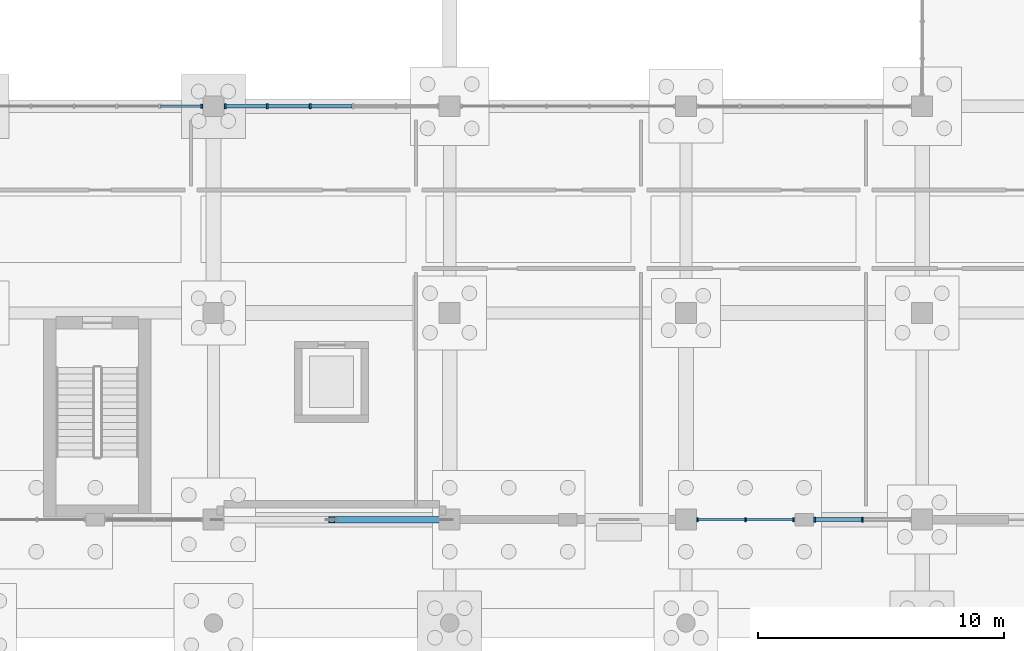
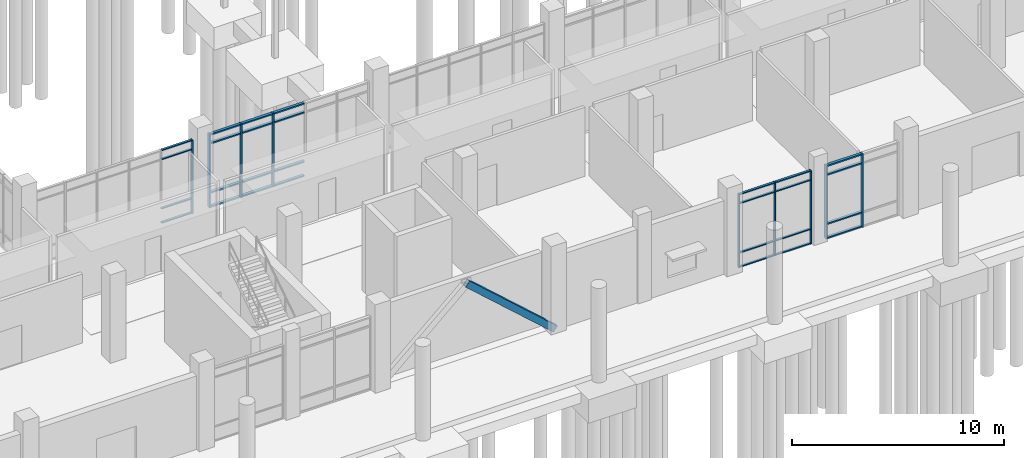
# One storey, part 49 of 136: 38 members, 4 elements without a shape of their own.
"""IFC4 building model written with IfcOpenShell, lengths in metres."""

import ifcopenshell
import ifcopenshell.guid

model = None  # the IFC model being written
_history = None  # IfcOwnerHistory: only IFC2X3 demands one
_inside = {}  # id of a spatial element -> (the spatial element, [elements in it])
_under = {}  # id of a project, library or spatial element -> (it, [spatial elements below it])
_declared = {}  # id of a project -> (the project, [libraries it declares])
_typed = {}  # id of a type object -> (the type object, [elements of that type])
_made_of = {}  # id of a material, layer set ... -> (it, [elements and type objects made of it])


def new_model(schema):
    """Start an empty IFC model of exactly this schema.

    Asked for "IFC4X3", IfcOpenShell would pick the latest addendum, in which some entities
    have other attributes; the version numbers below select the first issue.
    IFC2X3 requires an IfcOwnerHistory on every rooted entity: one is made here for all.
    """
    global model, _history
    if schema == "IFC4X3":
        model = ifcopenshell.file(schema_version=(4, 3, 0, 0))
    else:
        model = ifcopenshell.file(schema=schema)
    _inside.clear()
    _under.clear()
    _declared.clear()
    _typed.clear()
    _made_of.clear()
    _history = None
    if model.schema == "IFC2X3":
        org = make("IfcOrganization", Name="unknown")
        user = make(
            "IfcPersonAndOrganization",
            ThePerson=make("IfcPerson", FamilyName="unknown"),
            TheOrganization=org,
        )
        app = make(
            "IfcApplication",
            ApplicationDeveloper=org,
            Version="unknown",
            ApplicationFullName="unknown",
            ApplicationIdentifier="unknown",
        )
        _history = make(
            "IfcOwnerHistory",
            OwningUser=user,
            OwningApplication=app,
            ChangeAction="ADDED",
            CreationDate=0,
        )
    return model


def make(cls, **values):
    """One entity of the class cls with the attributes given. An attribute that is None is left unset."""
    return model.create_entity(
        cls, **{name: value for name, value in values.items() if value is not None}
    )


def rooted(cls, **values):
    """An entity with a GlobalId (a new one), such as an element, a storey or a relation."""
    return make(cls, GlobalId=ifcopenshell.guid.new(), OwnerHistory=_history, **values)


def si_unit(unit_type, name, prefix=None):
    """IfcSIUnit, for example si_unit("LENGTHUNIT", "METRE", prefix="MILLI")."""
    return make("IfcSIUnit", UnitType=unit_type, Prefix=prefix, Name=name)


def assignment(units):
    """IfcUnitAssignment: the units of a project."""
    return None if units is None else make("IfcUnitAssignment", Units=units)


def point(xyz):
    """IfcCartesianPoint."""
    return None if xyz is None else make("IfcCartesianPoint", Coordinates=xyz)


def direction(xyz):
    """IfcDirection."""
    return None if xyz is None else make("IfcDirection", DirectionRatios=xyz)


def frame(location, z_axis=None, x_axis=None):
    """IfcAxis2Placement3D, a coordinate frame: its origin and axes. An axis left out is left unset."""
    return make(
        "IfcAxis2Placement3D",
        Location=point(location),
        Axis=direction(z_axis),
        RefDirection=direction(x_axis),
    )


def frame_2d(location, x_axis=None):
    """IfcAxis2Placement2D, a coordinate frame in the plane: its origin and x axis."""
    return make(
        "IfcAxis2Placement2D", Location=point(location), RefDirection=direction(x_axis)
    )


def origin():
    """The frame at (0, 0, 0) with its axes left unset."""
    return frame((0.0, 0.0, 0.0))


def origin_2d():
    """The frame at (0, 0) in the plane with its x axis left unset."""
    return frame_2d((0.0, 0.0))


def place(relative_to, where):
    """IfcLocalPlacement: puts the frame where relative to a parent placement (None: the world)."""
    return make(
        "IfcLocalPlacement", PlacementRelTo=relative_to, RelativePlacement=where
    )


def context(
    kind, dimensions, precision=None, world=None, true_north=None, identifier=None
):
    """IfcGeometricRepresentationContext, for example the 3D "Model" context."""
    return make(
        "IfcGeometricRepresentationContext",
        ContextIdentifier=identifier,
        ContextType=kind,
        CoordinateSpaceDimension=dimensions,
        Precision=precision,
        WorldCoordinateSystem=world,
        TrueNorth=true_north,
    )


def subcontext(parent, identifier, kind, view, scale=None):
    """IfcGeometricRepresentationSubContext, for example "Body" below "Model"."""
    return make(
        "IfcGeometricRepresentationSubContext",
        ContextIdentifier=identifier,
        ContextType=kind,
        ParentContext=parent,
        TargetScale=scale,
        TargetView=view,
    )


def project(units=None, contexts=None):
    """IfcProject with its units and contexts."""
    return rooted(
        "IfcProject",
        Name="project",
        RepresentationContexts=contexts,
        UnitsInContext=assignment(units),
    )


def spatial(cls, under=None, at=None, **own):
    """A site, building, storey or space (cls), placed at a placement, below another one or the project."""
    s = rooted(cls, ObjectPlacement=at, **own)
    if under is not None:
        _under.setdefault(under.id(), (under, []))[1].append(s)
    return s


def profile(cls, at=None, kind="AREA", **sizes):
    """A parametric profile (cls). Its sizes go by their IFC names, for example OverallWidth=200.0."""
    return make(cls, ProfileType=kind, Position=at, **sizes)


def rectangle(**sizes):
    """IfcRectangleProfileDef."""
    return profile("IfcRectangleProfileDef", **sizes)


def hollow_rectangle(**sizes):
    """IfcRectangleHollowProfileDef."""
    return profile("IfcRectangleHollowProfileDef", **sizes)


def extrude(swept, where, along, depth):
    """IfcExtrudedAreaSolid: the profile swept, set in the frame where, extruded along a direction by depth."""
    return make(
        "IfcExtrudedAreaSolid",
        SweptArea=swept,
        Position=where,
        ExtrudedDirection=direction(along),
        Depth=depth,
    )


def shape(context_of_items, identifier, shape_type, items):
    """IfcShapeRepresentation: the items that make up one representation, for example the "Body"."""
    return make(
        "IfcShapeRepresentation",
        ContextOfItems=context_of_items,
        RepresentationIdentifier=identifier,
        RepresentationType=shape_type,
        Items=items,
    )


def material(Name=None, Category=None):
    """IfcMaterial."""
    return make("IfcMaterial", Name=Name, Category=Category)


def material_profile(
    of_material, cross_section, Name=None, Category=None, Priority=None
):
    """IfcMaterialProfile: a cross section and its material."""
    return make(
        "IfcMaterialProfile",
        Name=Name,
        Material=of_material,
        Profile=cross_section,
        Priority=Priority,
        Category=Category,
    )


def profile_set(profiles, Name=None, composite=None):
    """IfcMaterialProfileSet."""
    return make(
        "IfcMaterialProfileSet",
        Name=Name,
        MaterialProfiles=profiles,
        CompositeProfile=composite,
    )


def made_of(thing, what):
    """Note that an element or type object is made of a material, layer set ...; save() writes the relation."""
    if what is not None:
        _made_of.setdefault(what.id(), (what, []))[1].append(thing)
    return thing


def type_object(cls, material=None, **own):
    """A type object (cls), such as IfcWallType, which elements share."""
    return made_of(rooted(cls, **own), material)


def element(
    cls,
    number,
    at=None,
    inside=None,
    cuts=None,
    type_object=None,
    material=None,
    context=None,
    identifier="Body",
    shape_type=None,
    held_by="IfcProductDefinitionShape",
    body=None,
    shapes=None,
    **own,
):
    """One element of the class cls, such as IfcWall. Its Tag is "e" and its number.

    at: its placement. inside: the storey or other place that contains it. cuts: it is an
    opening in that element (IfcRelVoidsElement). A single representation is given by context,
    identifier, shape_type and body (its items); several are given by shapes. held_by: the class
    of the entity that holds the representations. save() writes the other relations.
    """
    e = rooted(cls, Tag="e%d" % number, ObjectPlacement=at, **own)
    if body is not None:
        shapes = [shape(context, identifier, shape_type, body)]
    if shapes is not None:
        e.Representation = make(held_by, Representations=shapes)
    if inside is not None:
        _inside.setdefault(inside.id(), (inside, []))[1].append(e)
    if cuts is not None:
        rooted(
            "IfcRelVoidsElement", RelatingBuildingElement=cuts, RelatedOpeningElement=e
        )
    if type_object is not None:
        _typed.setdefault(type_object.id(), (type_object, []))[1].append(e)
    return made_of(e, material)


def aggregate(whole, parts):
    """IfcRelAggregates: a whole, such as a stair, and the parts it consists of."""
    return rooted("IfcRelAggregates", RelatingObject=whole, RelatedObjects=parts)


def save(model, path):
    """Write the relations noted so far, then the file.

    IfcRelAggregates (storeys below a building ...), IfcRelContainedInSpatialStructure (elements
    in a storey), IfcRelDefinesByType, IfcRelAssociatesMaterial and IfcRelDeclares: one each for
    every whole, place, type object, material and project.
    """
    for whole, parts in _under.values():
        aggregate(whole, parts)
    for where, things in _inside.values():
        rooted(
            "IfcRelContainedInSpatialStructure",
            RelatedElements=things,
            RelatingStructure=where,
        )
    for kind, things in _typed.values():
        rooted("IfcRelDefinesByType", RelatedObjects=things, RelatingType=kind)
    for what, things in _made_of.values():
        rooted("IfcRelAssociatesMaterial", RelatedObjects=things, RelatingMaterial=what)
    for by, libraries in _declared.values():
        rooted("IfcRelDeclares", RelatingContext=by, RelatedDefinitions=libraries)
    model.write(path)


model = new_model("IFC4")

# Units and contexts
model_context = context("Model", 3, precision=1e-05, world=origin(), true_north=direction((0.0, 1.0)))
body_context = subcontext(model_context, "Body", "Model", "MODEL_VIEW")
ifc_project = project(units=[si_unit("LENGTHUNIT", "METRE"), si_unit("AREAUNIT", "SQUARE_METRE"), si_unit("VOLUMEUNIT", "CUBIC_METRE"), si_unit("PLANEANGLEUNIT", "RADIAN"), si_unit("MASSUNIT", "GRAM", prefix="KILO")], contexts=[model_context])

# Site, building, storey
site_placement = place(None, origin())
site = spatial("IfcSite", under=ifc_project, at=site_placement, CompositionType="ELEMENT")
building_placement = place(site_placement, origin())
building = spatial("IfcBuilding", under=site, at=building_placement, Name="Oolite Switchyard Hospital", CompositionType="ELEMENT")
storey_placement = place(building_placement, origin())
storey = spatial("IfcBuildingStorey", under=building, at=storey_placement, Name="L00", CompositionType="ELEMENT", Elevation=0.0)

# Curtain wall, members
ifc_material_1 = material(Name="Thermally broken aluminum frame with laminated impact glazing", Category="aluminium")
curtain_wall_type_1 = type_object("IfcCurtainWallType", Name="CW-UNIT-84X51", PredefinedType="USERDEFINED", material=ifc_material_1)
curtain_wall_1_placement = place(storey_placement, origin())
curtain_wall_1 = element("IfcCurtainWall", 1, at=curtain_wall_1_placement, inside=storey, type_object=curtain_wall_type_1, Name="L00 Unitised Curtain Wall 6", ObjectType="UNITISED", PredefinedType="USERDEFINED")
ifc_material_2 = material(Name="Aluminium 6063-T6", Category="aluminium")
ifc_material_profile_1 = material_profile(ifc_material_2, rectangle(XDim=0.159912109375, YDim=0.06005859375, at=origin_2d()), Name="CWM60X160")
ifc_profile_set_1 = profile_set([ifc_material_profile_1], Name="Aluminium 6063-T6")
member_type_1 = type_object("IfcMemberType", Name="CW-MUL-180", PredefinedType="MULLION", material=ifc_profile_set_1)
member_1_placement = place(storey_placement, frame((177.179931640625, 8.39990234375, 0.0), z_axis=(0.0, 0.0, 1.0), x_axis=(0.0, -1.0, 0.0)))
member_1 = element("IfcMember", 2, at=member_1_placement, type_object=member_type_1, Name="CW-06 mullion 1", PredefinedType="MULLION", context=body_context, shape_type="SweptSolid", body=[
    extrude(rectangle(XDim=0.159912109375, YDim=0.06005859375, at=origin_2d()), origin(), (0.0, 0.0, 1.0), 4.239990234375),
])
member_2_placement = place(storey_placement, frame((175.22509765625, 8.39990234375, 0.0), z_axis=(0.0, 0.0, 1.0), x_axis=(0.0, -1.0, 0.0)))
member_2 = element("IfcMember", 3, at=member_2_placement, type_object=member_type_1, Name="CW-06 mullion 2", PredefinedType="MULLION", context=body_context, shape_type="SweptSolid", body=[
    extrude(rectangle(XDim=0.159912109375, YDim=0.06005859375, at=origin_2d()), origin(), (0.0, 0.0, 1.0), 4.239990234375),
])
member_3_placement = place(storey_placement, frame((173.27001953125, 8.39990234375, 0.0), z_axis=(0.0, 0.0, 1.0), x_axis=(0.0, -1.0, 0.0)))
member_3 = element("IfcMember", 4, at=member_3_placement, type_object=member_type_1, Name="CW-06 mullion 3", PredefinedType="MULLION", context=body_context, shape_type="SweptSolid", body=[
    extrude(rectangle(XDim=0.159912109375, YDim=0.06005859375, at=origin_2d()), origin(), (0.0, 0.0, 1.0), 4.239990234375),
])

# Curtain wall, member
curtain_wall_type_2 = type_object("IfcCurtainWallType", Name="CW-UNIT-96X51", PredefinedType="USERDEFINED", material=ifc_material_1)
curtain_wall_2_placement = place(storey_placement, origin())
curtain_wall_2 = element("IfcCurtainWall", 5, at=curtain_wall_2_placement, inside=storey, type_object=curtain_wall_type_2, Name="L00 Unitised Curtain Wall 10", ObjectType="UNITISED", PredefinedType="USERDEFINED")
ifc_material_profile_2 = material_profile(ifc_material_2, rectangle(XDim=0.179931640625, YDim=0.070068359375, at=origin_2d()), Name="CWM70X180")
ifc_profile_set_2 = profile_set([ifc_material_profile_2], Name="Aluminium 6063-T6")
member_type_2 = type_object("IfcMemberType", Name="CW-MUL-220", PredefinedType="MULLION", material=ifc_profile_set_2)
member_4_placement = place(storey_placement, frame((153.125, 25.199951171875, 0.0), z_axis=(0.0, 0.0, 1.0), x_axis=(0.0, 1.0, 0.0)))
member_4 = element("IfcMember", 6, at=member_4_placement, type_object=member_type_2, Name="CW-01 mullion 6", PredefinedType="MULLION", context=body_context, shape_type="SweptSolid", body=[
    extrude(rectangle(XDim=0.179931640625, YDim=0.070068359375, at=origin_2d()), origin(), (0.0, 0.0, 1.0), 4.239990234375),
])

# Curtain wall, members
curtain_wall_3_placement = place(storey_placement, origin())
curtain_wall_3 = element("IfcCurtainWall", 7, at=curtain_wall_3_placement, inside=storey, type_object=curtain_wall_type_1, Name="L00 Unitised Curtain Wall 5", ObjectType="UNITISED", PredefinedType="USERDEFINED")
ifc_material_profile_3 = material_profile(ifc_material_2, rectangle(XDim=0.199951171875, YDim=0.074951171875, at=origin_2d()), Name="CWM75X200")
ifc_profile_set_3 = profile_set([ifc_material_profile_3], Name="Aluminium 6063-T6")
member_type_3 = type_object("IfcMemberType", Name="CW-MUL-260", PredefinedType="MULLION", material=ifc_profile_set_3)
member_5_placement = place(storey_placement, frame((179.97509765625, 8.39990234375, 0.0), z_axis=(0.0, 0.0, 1.0), x_axis=(0.0, -1.0, 0.0)))
member_5 = element("IfcMember", 8, at=member_5_placement, type_object=member_type_3, Name="CW-06 mullion 2", PredefinedType="MULLION", context=body_context, shape_type="SweptSolid", body=[
    extrude(rectangle(XDim=0.199951171875, YDim=0.074951171875, at=origin_2d()), origin(), (0.0, 0.0, 1.0), 4.239990234375),
])
member_6_placement = place(storey_placement, frame((178.027587890625, 8.39990234375, 0.0), z_axis=(0.0, 0.0, 1.0), x_axis=(0.0, -1.0, 0.0)))
member_6 = element("IfcMember", 9, at=member_6_placement, type_object=member_type_3, Name="CW-06 mullion 3", PredefinedType="MULLION", context=body_context, shape_type="SweptSolid", body=[
    extrude(rectangle(XDim=0.199951171875, YDim=0.074951171875, at=origin_2d()), origin(), (0.0, 0.0, 1.0), 4.239990234375),
])

curtain_wall_4_placement = place(storey_placement, origin())
curtain_wall_4 = element("IfcCurtainWall", 10, at=curtain_wall_4_placement, inside=storey, type_object=curtain_wall_type_2, Name="L00 Unitised Curtain Wall 11", ObjectType="UNITISED", PredefinedType="USERDEFINED")
member_7_placement = place(storey_placement, frame((154.077392578125, 25.199951171875, 0.0), z_axis=(0.0, 0.0, 1.0), x_axis=(0.0, 1.0, 0.0)))
member_7 = element("IfcMember", 11, at=member_7_placement, type_object=member_type_3, Name="CW-01 mullion 1", PredefinedType="MULLION", context=body_context, shape_type="SweptSolid", body=[
    extrude(rectangle(XDim=0.199951171875, YDim=0.074951171875, at=origin_2d()), origin(), (0.0, 0.0, 1.0), 4.239990234375),
])
member_8_placement = place(storey_placement, frame((155.783935546875, 25.199951171875, 0.0), z_axis=(0.0, 0.0, 1.0), x_axis=(0.0, 1.0, 0.0)))
member_8 = element("IfcMember", 12, at=member_8_placement, type_object=member_type_3, Name="CW-01 mullion 2", PredefinedType="MULLION", context=body_context, shape_type="SweptSolid", body=[
    extrude(rectangle(XDim=0.199951171875, YDim=0.074951171875, at=origin_2d()), origin(), (0.0, 0.0, 1.0), 4.239990234375),
])
member_9_placement = place(storey_placement, frame((157.528076171875, 25.199951171875, 0.0), z_axis=(0.0, 0.0, 1.0), x_axis=(0.0, 1.0, 0.0)))
member_9 = element("IfcMember", 13, at=member_9_placement, type_object=member_type_3, Name="CW-01 mullion 3", PredefinedType="MULLION", context=body_context, shape_type="SweptSolid", body=[
    extrude(rectangle(XDim=0.199951171875, YDim=0.074951171875, at=origin_2d()), origin(), (0.0, 0.0, 1.0), 4.239990234375),
])

# Member
ifc_material_profile_4 = material_profile(ifc_material_2, rectangle(XDim=0.1201171875, YDim=0.06005859375, at=origin_2d()), Name="CWT60X120")
ifc_profile_set_4 = profile_set([ifc_material_profile_4], Name="Aluminium 6063-T6")
member_type_4 = type_object("IfcMemberType", Name="CW-TRN-150", PredefinedType="USERDEFINED", material=ifc_profile_set_4)
member_10_placement = place(storey_placement, frame((177.14990234375, 8.39990234375, 0.030029296875), z_axis=(-1.0, 0.0, 0.0), x_axis=(0.0, -1.0, 0.0)))
member_10 = element("IfcMember", 14, at=member_10_placement, type_object=member_type_4, Name="CW-06 transom 1.1", ObjectType="TRANSOM", PredefinedType="USERDEFINED", context=body_context, shape_type="SweptSolid", body=[
    extrude(rectangle(XDim=0.1201171875, YDim=0.06005859375, at=origin_2d()), origin(), (0.0, 0.0, 1.0), 1.89501953125),
])

member_11_placement = place(storey_placement, frame((177.14990234375, 8.39990234375, 0.85009765625), z_axis=(-1.0, 0.0, 0.0), x_axis=(0.0, -1.0, 0.0)))
member_11 = element("IfcMember", 15, at=member_11_placement, type_object=member_type_4, Name="CW-06 transom 1.2", ObjectType="TRANSOM", PredefinedType="USERDEFINED", context=body_context, shape_type="SweptSolid", body=[
    extrude(rectangle(XDim=0.1201171875, YDim=0.06005859375, at=origin_2d()), origin(), (0.0, 0.0, 1.0), 1.89501953125),
])

member_12_placement = place(storey_placement, frame((177.14990234375, 8.39990234375, 3.68994140625), z_axis=(-1.0, 0.0, 0.0), x_axis=(0.0, -1.0, 0.0)))
member_12 = element("IfcMember", 16, at=member_12_placement, type_object=member_type_4, Name="CW-06 transom 1.3", ObjectType="TRANSOM", PredefinedType="USERDEFINED", context=body_context, shape_type="SweptSolid", body=[
    extrude(rectangle(XDim=0.1201171875, YDim=0.06005859375, at=origin_2d()), origin(), (0.0, 0.0, 1.0), 1.89501953125),
])

member_13_placement = place(storey_placement, frame((177.14990234375, 8.39990234375, 4.2099609375), z_axis=(-1.0, 0.0, 0.0), x_axis=(0.0, -1.0, 0.0)))
member_13 = element("IfcMember", 17, at=member_13_placement, type_object=member_type_4, Name="CW-06 transom 1.4", ObjectType="TRANSOM", PredefinedType="USERDEFINED", context=body_context, shape_type="SweptSolid", body=[
    extrude(rectangle(XDim=0.1201171875, YDim=0.06005859375, at=origin_2d()), origin(), (0.0, 0.0, 1.0), 1.89501953125),
])

member_14_placement = place(storey_placement, frame((175.195068359375, 8.39990234375, 0.030029296875), z_axis=(-1.0, 0.0, 0.0), x_axis=(0.0, -1.0, 0.0)))
member_14 = element("IfcMember", 18, at=member_14_placement, type_object=member_type_4, Name="CW-06 transom 2.1", ObjectType="TRANSOM", PredefinedType="USERDEFINED", context=body_context, shape_type="SweptSolid", body=[
    extrude(rectangle(XDim=0.1201171875, YDim=0.06005859375, at=origin_2d()), origin(), (0.0, 0.0, 1.0), 1.89501953125),
])

member_15_placement = place(storey_placement, frame((175.195068359375, 8.39990234375, 0.85009765625), z_axis=(-1.0, 0.0, 0.0), x_axis=(0.0, -1.0, 0.0)))
member_15 = element("IfcMember", 19, at=member_15_placement, type_object=member_type_4, Name="CW-06 transom 2.2", ObjectType="TRANSOM", PredefinedType="USERDEFINED", context=body_context, shape_type="SweptSolid", body=[
    extrude(rectangle(XDim=0.1201171875, YDim=0.06005859375, at=origin_2d()), origin(), (0.0, 0.0, 1.0), 1.89501953125),
])

member_16_placement = place(storey_placement, frame((175.195068359375, 8.39990234375, 3.68994140625), z_axis=(-1.0, 0.0, 0.0), x_axis=(0.0, -1.0, 0.0)))
member_16 = element("IfcMember", 20, at=member_16_placement, type_object=member_type_4, Name="CW-06 transom 2.3", ObjectType="TRANSOM", PredefinedType="USERDEFINED", context=body_context, shape_type="SweptSolid", body=[
    extrude(rectangle(XDim=0.1201171875, YDim=0.06005859375, at=origin_2d()), origin(), (0.0, 0.0, 1.0), 1.89501953125),
])

member_17_placement = place(storey_placement, frame((175.195068359375, 8.39990234375, 4.2099609375), z_axis=(-1.0, 0.0, 0.0), x_axis=(0.0, -1.0, 0.0)))
member_17 = element("IfcMember", 21, at=member_17_placement, type_object=member_type_4, Name="CW-06 transom 2.4", ObjectType="TRANSOM", PredefinedType="USERDEFINED", context=body_context, shape_type="SweptSolid", body=[
    extrude(rectangle(XDim=0.1201171875, YDim=0.06005859375, at=origin_2d()), origin(), (0.0, 0.0, 1.0), 1.89501953125),
])

aggregate(curtain_wall_1, [member_1, member_2, member_3, member_10, member_11, member_12, member_13, member_14, member_15, member_16, member_17])

member_18_placement = place(storey_placement, frame((151.450927734375, 25.199951171875, 0.030029296875), z_axis=(1.0, 0.0, 0.0), x_axis=(0.0, 1.0, 0.0)))
member_18 = element("IfcMember", 22, at=member_18_placement, type_object=member_type_4, Name="CW-01 transom 5.1", ObjectType="TRANSOM", PredefinedType="USERDEFINED", context=body_context, shape_type="SweptSolid", body=[
    extrude(rectangle(XDim=0.1201171875, YDim=0.06005859375, at=origin_2d()), origin(), (0.0, 0.0, 1.0), 1.63916015625),
])

member_19_placement = place(storey_placement, frame((151.450927734375, 25.199951171875, 0.85009765625), z_axis=(1.0, 0.0, 0.0), x_axis=(0.0, 1.0, 0.0)))
member_19 = element("IfcMember", 23, at=member_19_placement, type_object=member_type_4, Name="CW-01 transom 5.2", ObjectType="TRANSOM", PredefinedType="USERDEFINED", context=body_context, shape_type="SweptSolid", body=[
    extrude(rectangle(XDim=0.1201171875, YDim=0.06005859375, at=origin_2d()), origin(), (0.0, 0.0, 1.0), 1.63916015625),
])

member_20_placement = place(storey_placement, frame((151.450927734375, 25.199951171875, 3.68994140625), z_axis=(1.0, 0.0, 0.0), x_axis=(0.0, 1.0, 0.0)))
member_20 = element("IfcMember", 24, at=member_20_placement, type_object=member_type_4, Name="CW-01 transom 5.3", ObjectType="TRANSOM", PredefinedType="USERDEFINED", context=body_context, shape_type="SweptSolid", body=[
    extrude(rectangle(XDim=0.1201171875, YDim=0.06005859375, at=origin_2d()), origin(), (0.0, 0.0, 1.0), 1.63916015625),
])

member_21_placement = place(storey_placement, frame((151.450927734375, 25.199951171875, 4.2099609375), z_axis=(1.0, 0.0, 0.0), x_axis=(0.0, 1.0, 0.0)))
member_21 = element("IfcMember", 25, at=member_21_placement, type_object=member_type_4, Name="CW-01 transom 5.4", ObjectType="TRANSOM", PredefinedType="USERDEFINED", context=body_context, shape_type="SweptSolid", body=[
    extrude(rectangle(XDim=0.1201171875, YDim=0.06005859375, at=origin_2d()), origin(), (0.0, 0.0, 1.0), 1.63916015625),
])

aggregate(curtain_wall_2, [member_4, member_18, member_19, member_20, member_21])

ifc_material_profile_5 = material_profile(ifc_material_2, rectangle(XDim=0.159912109375, YDim=0.074951171875, at=origin_2d()), Name="CWT75X160")
ifc_profile_set_5 = profile_set([ifc_material_profile_5], Name="Aluminium 6063-T6")
member_type_5 = type_object("IfcMemberType", Name="CW-TRN-180", PredefinedType="USERDEFINED", material=ifc_profile_set_5)
member_22_placement = place(storey_placement, frame((179.9375, 8.39990234375, 0.03759765625), z_axis=(-1.0, 0.0, 0.0), x_axis=(0.0, -1.0, 0.0)))
member_22 = element("IfcMember", 26, at=member_22_placement, type_object=member_type_5, Name="CW-06 transom 2.1", ObjectType="TRANSOM", PredefinedType="USERDEFINED", context=body_context, shape_type="SweptSolid", body=[
    extrude(rectangle(XDim=0.159912109375, YDim=0.074951171875, at=origin_2d()), origin(), (0.0, 0.0, 1.0), 1.87255859375),
])

member_23_placement = place(storey_placement, frame((179.9375, 8.39990234375, 0.85009765625), z_axis=(-1.0, 0.0, 0.0), x_axis=(0.0, -1.0, 0.0)))
member_23 = element("IfcMember", 27, at=member_23_placement, type_object=member_type_5, Name="CW-06 transom 2.2", ObjectType="TRANSOM", PredefinedType="USERDEFINED", context=body_context, shape_type="SweptSolid", body=[
    extrude(rectangle(XDim=0.159912109375, YDim=0.074951171875, at=origin_2d()), origin(), (0.0, 0.0, 1.0), 1.87255859375),
])

member_24_placement = place(storey_placement, frame((179.9375, 8.39990234375, 3.68994140625), z_axis=(-1.0, 0.0, 0.0), x_axis=(0.0, -1.0, 0.0)))
member_24 = element("IfcMember", 28, at=member_24_placement, type_object=member_type_5, Name="CW-06 transom 2.3", ObjectType="TRANSOM", PredefinedType="USERDEFINED", context=body_context, shape_type="SweptSolid", body=[
    extrude(rectangle(XDim=0.159912109375, YDim=0.074951171875, at=origin_2d()), origin(), (0.0, 0.0, 1.0), 1.87255859375),
])

member_25_placement = place(storey_placement, frame((179.9375, 8.39990234375, 4.202392578125), z_axis=(-1.0, 0.0, 0.0), x_axis=(0.0, -1.0, 0.0)))
member_25 = element("IfcMember", 29, at=member_25_placement, type_object=member_type_5, Name="CW-06 transom 2.4", ObjectType="TRANSOM", PredefinedType="USERDEFINED", context=body_context, shape_type="SweptSolid", body=[
    extrude(rectangle(XDim=0.159912109375, YDim=0.074951171875, at=origin_2d()), origin(), (0.0, 0.0, 1.0), 1.87255859375),
])

aggregate(curtain_wall_3, [member_5, member_6, member_22, member_23, member_24, member_25])

member_26_placement = place(storey_placement, frame((154.114990234375, 25.199951171875, 0.03759765625), z_axis=(1.0, 0.0, 0.0), x_axis=(0.0, 1.0, 0.0)))
member_26 = element("IfcMember", 30, at=member_26_placement, type_object=member_type_5, Name="CW-01 transom 1.1", ObjectType="TRANSOM", PredefinedType="USERDEFINED", context=body_context, shape_type="SweptSolid", body=[
    extrude(rectangle(XDim=0.159912109375, YDim=0.074951171875, at=origin_2d()), origin(), (0.0, 0.0, 1.0), 1.631591796875),
])

member_27_placement = place(storey_placement, frame((154.114990234375, 25.199951171875, 0.85009765625), z_axis=(1.0, 0.0, 0.0), x_axis=(0.0, 1.0, 0.0)))
member_27 = element("IfcMember", 31, at=member_27_placement, type_object=member_type_5, Name="CW-01 transom 1.2", ObjectType="TRANSOM", PredefinedType="USERDEFINED", context=body_context, shape_type="SweptSolid", body=[
    extrude(rectangle(XDim=0.159912109375, YDim=0.074951171875, at=origin_2d()), origin(), (0.0, 0.0, 1.0), 1.631591796875),
])

member_28_placement = place(storey_placement, frame((154.114990234375, 25.199951171875, 3.68994140625), z_axis=(1.0, 0.0, 0.0), x_axis=(0.0, 1.0, 0.0)))
member_28 = element("IfcMember", 32, at=member_28_placement, type_object=member_type_5, Name="CW-01 transom 1.3", ObjectType="TRANSOM", PredefinedType="USERDEFINED", context=body_context, shape_type="SweptSolid", body=[
    extrude(rectangle(XDim=0.159912109375, YDim=0.074951171875, at=origin_2d()), origin(), (0.0, 0.0, 1.0), 1.631591796875),
])

member_29_placement = place(storey_placement, frame((154.114990234375, 25.199951171875, 4.202392578125), z_axis=(1.0, 0.0, 0.0), x_axis=(0.0, 1.0, 0.0)))
member_29 = element("IfcMember", 33, at=member_29_placement, type_object=member_type_5, Name="CW-01 transom 1.4", ObjectType="TRANSOM", PredefinedType="USERDEFINED", context=body_context, shape_type="SweptSolid", body=[
    extrude(rectangle(XDim=0.159912109375, YDim=0.074951171875, at=origin_2d()), origin(), (0.0, 0.0, 1.0), 1.631591796875),
])

member_30_placement = place(storey_placement, frame((155.821533203125, 25.199951171875, 0.03759765625), z_axis=(1.0, 0.0, 0.0), x_axis=(0.0, 1.0, 0.0)))
member_30 = element("IfcMember", 34, at=member_30_placement, type_object=member_type_5, Name="CW-01 transom 2.1", ObjectType="TRANSOM", PredefinedType="USERDEFINED", context=body_context, shape_type="SweptSolid", body=[
    extrude(rectangle(XDim=0.159912109375, YDim=0.074951171875, at=origin_2d()), origin(), (0.0, 0.0, 1.0), 1.6689453125),
])

member_31_placement = place(storey_placement, frame((155.821533203125, 25.199951171875, 0.85009765625), z_axis=(1.0, 0.0, 0.0), x_axis=(0.0, 1.0, 0.0)))
member_31 = element("IfcMember", 35, at=member_31_placement, type_object=member_type_5, Name="CW-01 transom 2.2", ObjectType="TRANSOM", PredefinedType="USERDEFINED", context=body_context, shape_type="SweptSolid", body=[
    extrude(rectangle(XDim=0.159912109375, YDim=0.074951171875, at=origin_2d()), origin(), (0.0, 0.0, 1.0), 1.6689453125),
])

member_32_placement = place(storey_placement, frame((155.821533203125, 25.199951171875, 3.68994140625), z_axis=(1.0, 0.0, 0.0), x_axis=(0.0, 1.0, 0.0)))
member_32 = element("IfcMember", 36, at=member_32_placement, type_object=member_type_5, Name="CW-01 transom 2.3", ObjectType="TRANSOM", PredefinedType="USERDEFINED", context=body_context, shape_type="SweptSolid", body=[
    extrude(rectangle(XDim=0.159912109375, YDim=0.074951171875, at=origin_2d()), origin(), (0.0, 0.0, 1.0), 1.6689453125),
])

member_33_placement = place(storey_placement, frame((155.821533203125, 25.199951171875, 4.202392578125), z_axis=(1.0, 0.0, 0.0), x_axis=(0.0, 1.0, 0.0)))
member_33 = element("IfcMember", 37, at=member_33_placement, type_object=member_type_5, Name="CW-01 transom 2.4", ObjectType="TRANSOM", PredefinedType="USERDEFINED", context=body_context, shape_type="SweptSolid", body=[
    extrude(rectangle(XDim=0.159912109375, YDim=0.074951171875, at=origin_2d()), origin(), (0.0, 0.0, 1.0), 1.6689453125),
])

member_34_placement = place(storey_placement, frame((157.5654296875, 25.199951171875, 0.03759765625), z_axis=(1.0, 0.0, 0.0), x_axis=(0.0, 1.0, 0.0)))
member_34 = element("IfcMember", 38, at=member_34_placement, type_object=member_type_5, Name="CW-01 transom 3.1", ObjectType="TRANSOM", PredefinedType="USERDEFINED", context=body_context, shape_type="SweptSolid", body=[
    extrude(rectangle(XDim=0.159912109375, YDim=0.074951171875, at=origin_2d()), origin(), (0.0, 0.0, 1.0), 1.669189453125),
])

member_35_placement = place(storey_placement, frame((157.5654296875, 25.199951171875, 0.85009765625), z_axis=(1.0, 0.0, 0.0), x_axis=(0.0, 1.0, 0.0)))
member_35 = element("IfcMember", 39, at=member_35_placement, type_object=member_type_5, Name="CW-01 transom 3.2", ObjectType="TRANSOM", PredefinedType="USERDEFINED", context=body_context, shape_type="SweptSolid", body=[
    extrude(rectangle(XDim=0.159912109375, YDim=0.074951171875, at=origin_2d()), origin(), (0.0, 0.0, 1.0), 1.669189453125),
])

member_36_placement = place(storey_placement, frame((157.5654296875, 25.199951171875, 3.68994140625), z_axis=(1.0, 0.0, 0.0), x_axis=(0.0, 1.0, 0.0)))
member_36 = element("IfcMember", 40, at=member_36_placement, type_object=member_type_5, Name="CW-01 transom 3.3", ObjectType="TRANSOM", PredefinedType="USERDEFINED", context=body_context, shape_type="SweptSolid", body=[
    extrude(rectangle(XDim=0.159912109375, YDim=0.074951171875, at=origin_2d()), origin(), (0.0, 0.0, 1.0), 1.669189453125),
])

member_37_placement = place(storey_placement, frame((157.5654296875, 25.199951171875, 4.202392578125), z_axis=(1.0, 0.0, 0.0), x_axis=(0.0, 1.0, 0.0)))
member_37 = element("IfcMember", 41, at=member_37_placement, type_object=member_type_5, Name="CW-01 transom 3.4", ObjectType="TRANSOM", PredefinedType="USERDEFINED", context=body_context, shape_type="SweptSolid", body=[
    extrude(rectangle(XDim=0.159912109375, YDim=0.074951171875, at=origin_2d()), origin(), (0.0, 0.0, 1.0), 1.669189453125),
])

aggregate(curtain_wall_4, [member_7, member_8, member_9, member_26, member_27, member_28, member_29, member_30, member_31, member_32, member_33, member_34, member_35, member_36, member_37])

ifc_material_3 = material(Name="Steel ASTM A500 Grade C", Category="steel")
ifc_material_profile_6 = material_profile(ifc_material_3, hollow_rectangle(XDim=0.25390625, YDim=0.35595703125, WallThickness=0.012939453125, at=origin_2d()), Name="HSS356X254X13")
ifc_profile_set_6 = profile_set([ifc_material_profile_6], Name="Steel ASTM A500 Grade C")
member_type_6 = type_object("IfcMemberType", Name="MEM-BR-RHS356", PredefinedType="BRACE", material=ifc_profile_set_6)
member_38_placement = place(storey_placement, frame((163.199951171875, 8.39990234375, 0.02001953125), z_axis=(-0.746380033153, 0.0, 0.665519981751), x_axis=(0.0, -1.0, 0.0)))
element("IfcMember", 42, at=member_38_placement, inside=storey, type_object=member_type_6, Name="L00 Chevron Brace 62", PredefinedType="BRACE", context=body_context, shape_type="SweptSolid", body=[
    extrude(hollow_rectangle(XDim=0.25390625, YDim=0.35595703125, WallThickness=0.012939453125, at=origin_2d()), origin(), (0.0, 0.0, 1.0), 6.43115234375),
])

save(model, "model.ifc")
